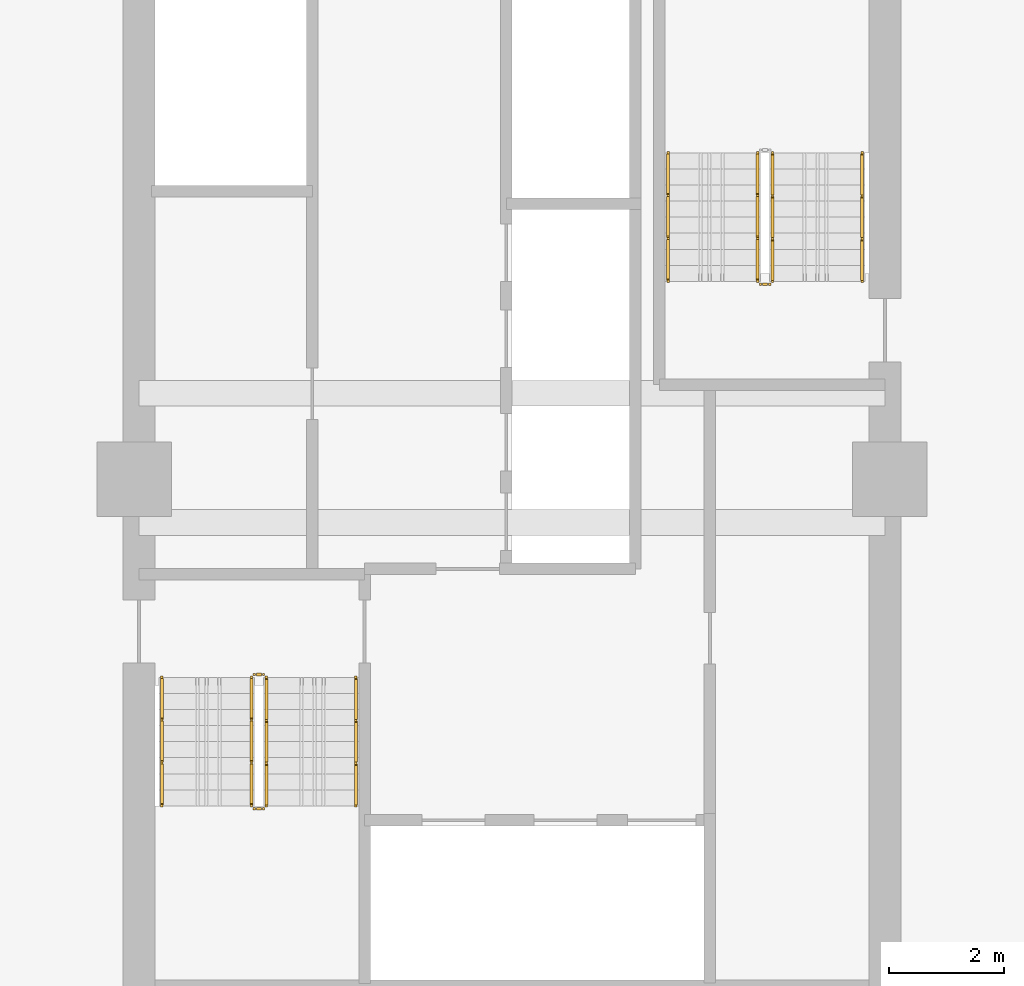
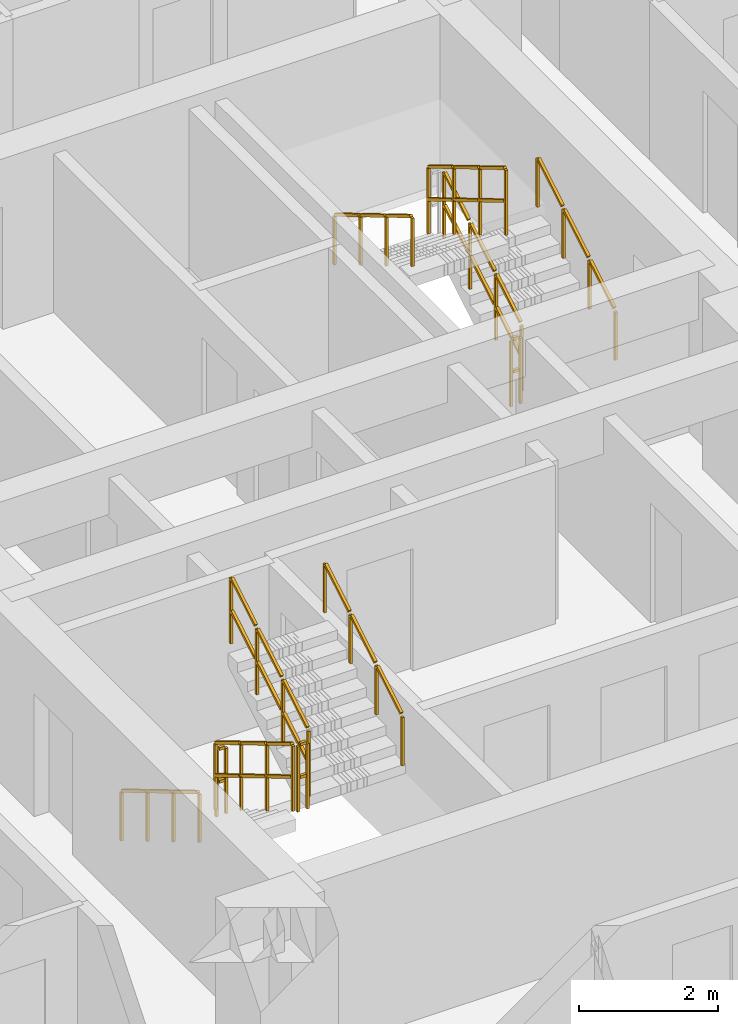
# One storey, part 12 of 14: 11 railings.
"""IFC4 building model written with IfcOpenShell, lengths in metres."""

from ifc_helpers import new_model, si_unit, direction, frame, origin, origin_2d, place, context, subcontext, project, spatial, rectangle, extrude, material, type_object, element, save


model = new_model("IFC4")

# Units and contexts
model_context = context("Model", 3, precision=1e-05, world=origin(), true_north=direction((0.0, 1.0)))
body_context = subcontext(model_context, "Body", "Model", "MODEL_VIEW")
ifc_project = project(units=[si_unit("LENGTHUNIT", "METRE"), si_unit("AREAUNIT", "SQUARE_METRE"), si_unit("VOLUMEUNIT", "CUBIC_METRE"), si_unit("PLANEANGLEUNIT", "RADIAN"), si_unit("MASSUNIT", "GRAM", prefix="KILO")], contexts=[model_context])

# Site, building, storey
site_placement = place(None, origin())
site = spatial("IfcSite", under=ifc_project, at=site_placement, CompositionType="ELEMENT")
building_placement = place(site_placement, origin())
building = spatial("IfcBuilding", under=site, at=building_placement, Name="Saelheon Loggia Tower", CompositionType="ELEMENT")
storey_placement = place(building_placement, frame((0.0, 0.0, 119.85009765625)))
storey = spatial("IfcBuildingStorey", under=building, at=storey_placement, Name="L38", CompositionType="ELEMENT", Elevation=119.85009765625)

# Railings
ifc_material_1 = material(Name="Galvanised Steel S275 Stairwell Guardrail", Category="steel")
railing_type_1 = type_object("IfcRailingType", Name="Guard_StairWell_RL_STG", PredefinedType="GUARDRAIL", material=ifc_material_1)
railing_1_placement = place(storey_placement, frame((33.4599609375, 23.550048828125, 0.16650390625)))
element("IfcRailing", 1, at=railing_1_placement, inside=storey, type_object=railing_type_1, Name="L38 ST1 stair guard 1", PredefinedType="GUARDRAIL", context=body_context, shape_type="SweptSolid", body=[
    extrude(rectangle(XDim=0.048095703125, YDim=0.048095703125, at=origin_2d()), frame((0.0, -0.028564453125, 1.19287109375), z_axis=(0.0, -0.859264461869, 0.511531606619), x_axis=(1.0, 0.0, 0.0)), (0.0, 0.0, 1.0), 0.802490234375),
    extrude(rectangle(XDim=0.048095703125, YDim=0.048095703125, at=origin_2d()), frame((0.0, -0.028564453125, 0.616943359375), z_axis=(0.0, -0.859264461869, 0.511531606619), x_axis=(1.0, 0.0, 0.0)), (0.0, 0.0, 1.0), 0.802490234375),
    extrude(rectangle(XDim=0.048095703125, YDim=0.048095703125, at=origin_2d()), frame((0.0, -0.775146484375, 1.637451171875), z_axis=(0.0, -0.859264461869, 0.511531606619), x_axis=(1.0, 0.0, 0.0)), (0.0, 0.0, 1.0), 0.802490234375),
    extrude(rectangle(XDim=0.048095703125, YDim=0.048095703125, at=origin_2d()), frame((0.0, -0.775146484375, 1.0615234375), z_axis=(0.0, -0.859264461869, 0.511531606619), x_axis=(1.0, 0.0, 0.0)), (0.0, 0.0, 1.0), 0.802490234375),
    extrude(rectangle(XDim=0.048095703125, YDim=0.048095703125, at=origin_2d()), frame((0.0, -1.52197265625, 2.081787109375), z_axis=(0.0, -0.859264461869, 0.511531606619), x_axis=(1.0, 0.0, 0.0)), (0.0, 0.0, 1.0), 0.802490234375),
    extrude(rectangle(XDim=0.048095703125, YDim=0.048095703125, at=origin_2d()), frame((0.0, -1.52197265625, 1.505859375), z_axis=(0.0, -0.859264461869, 0.511531606619), x_axis=(1.0, 0.0, 0.0)), (0.0, 0.0, 1.0), 0.802490234375),
    extrude(rectangle(XDim=0.0419921875, YDim=0.0419921875, at=origin_2d()), origin(), (0.0, 0.0, 1.0), 1.14794921875),
    extrude(rectangle(XDim=0.0419921875, YDim=0.0419921875, at=origin_2d()), frame((0.0, -0.74658203125, 0.444580078125)), (0.0, 0.0, 1.0), 1.14794921875),
    extrude(rectangle(XDim=0.0419921875, YDim=0.0419921875, at=origin_2d()), frame((0.0, -1.493408203125, 0.888916015625)), (0.0, 0.0, 1.0), 1.14794921875),
    extrude(rectangle(XDim=0.0419921875, YDim=0.0419921875, at=origin_2d()), frame((0.0, -2.239990234375, 1.33349609375)), (0.0, 0.0, 1.0), 1.14794921875),
])
railing_2_placement = place(storey_placement, frame((33.510009765625, 21.260009765625, 1.5)))
element("IfcRailing", 2, at=railing_2_placement, inside=storey, type_object=railing_type_1, Name="L38 ST1 stair guard 2", PredefinedType="GUARDRAIL", context=body_context, shape_type="SweptSolid", body=[
    extrude(rectangle(XDim=0.048095703125, YDim=0.048095703125, at=origin_2d()), frame((0.033203125, 0.0, 1.17578125), z_axis=(1.0, 0.0, 0.0), x_axis=(0.0, 1.0, 0.0)), (0.0, 0.0, 1.0), 0.093505859375),
    extrude(rectangle(XDim=0.048095703125, YDim=0.048095703125, at=origin_2d()), frame((0.033203125, 0.0, 0.60009765625), z_axis=(1.0, 0.0, 0.0), x_axis=(0.0, 1.0, 0.0)), (0.0, 0.0, 1.0), 0.093505859375),
    extrude(rectangle(XDim=0.0419921875, YDim=0.0419921875, at=origin_2d()), origin(), (0.0, 0.0, 1.0), 1.14794921875),
    extrude(rectangle(XDim=0.0419921875, YDim=0.0419921875, at=origin_2d()), frame((0.159912109375, 0.0, 0.0)), (0.0, 0.0, 1.0), 1.14794921875),
])
railing_3_placement = place(storey_placement, frame((33.719970703125, 21.31005859375, 1.66650390625)))
element("IfcRailing", 3, at=railing_3_placement, inside=storey, type_object=railing_type_1, Name="L38 ST1 stair guard 3", PredefinedType="GUARDRAIL", context=body_context, shape_type="SweptSolid", body=[
    extrude(rectangle(XDim=0.048095703125, YDim=0.048095703125, at=origin_2d()), frame((0.0, 0.028564453125, 1.19287109375), z_axis=(0.0, 0.859264461869, 0.511531606619), x_axis=(-1.0, 0.0, 0.0)), (0.0, 0.0, 1.0), 0.802490234375),
    extrude(rectangle(XDim=0.048095703125, YDim=0.048095703125, at=origin_2d()), frame((0.0, 0.028564453125, 0.616943359375), z_axis=(0.0, 0.859264461869, 0.511531606619), x_axis=(-1.0, 0.0, 0.0)), (0.0, 0.0, 1.0), 0.802490234375),
    extrude(rectangle(XDim=0.048095703125, YDim=0.048095703125, at=origin_2d()), frame((0.0, 0.775146484375, 1.637451171875), z_axis=(0.0, 0.859264461869, 0.511531606619), x_axis=(-1.0, 0.0, 0.0)), (0.0, 0.0, 1.0), 0.802490234375),
    extrude(rectangle(XDim=0.048095703125, YDim=0.048095703125, at=origin_2d()), frame((0.0, 0.775146484375, 1.0615234375), z_axis=(0.0, 0.859264461869, 0.511531606619), x_axis=(-1.0, 0.0, 0.0)), (0.0, 0.0, 1.0), 0.802490234375),
    extrude(rectangle(XDim=0.048095703125, YDim=0.048095703125, at=origin_2d()), frame((0.0, 1.52197265625, 2.081787109375), z_axis=(0.0, 0.859264461869, 0.511531606619), x_axis=(-1.0, 0.0, 0.0)), (0.0, 0.0, 1.0), 0.802490234375),
    extrude(rectangle(XDim=0.048095703125, YDim=0.048095703125, at=origin_2d()), frame((0.0, 1.52197265625, 1.505859375), z_axis=(0.0, 0.859264461869, 0.511531606619), x_axis=(-1.0, 0.0, 0.0)), (0.0, 0.0, 1.0), 0.802490234375),
    extrude(rectangle(XDim=0.0419921875, YDim=0.0419921875, at=origin_2d()), origin(), (0.0, 0.0, 1.0), 1.14794921875),
    extrude(rectangle(XDim=0.0419921875, YDim=0.0419921875, at=origin_2d()), frame((0.0, 0.74658203125, 0.444580078125)), (0.0, 0.0, 1.0), 1.14794921875),
    extrude(rectangle(XDim=0.0419921875, YDim=0.0419921875, at=origin_2d()), frame((0.0, 1.493408203125, 0.888916015625)), (0.0, 0.0, 1.0), 1.14794921875),
    extrude(rectangle(XDim=0.0419921875, YDim=0.0419921875, at=origin_2d()), frame((0.0, 2.239990234375, 1.33349609375)), (0.0, 0.0, 1.0), 1.14794921875),
])
railing_4_placement = place(storey_placement, frame((33.510009765625, 23.60009765625, 0.0)))
element("IfcRailing", 4, at=railing_4_placement, inside=storey, type_object=railing_type_1, Name="L38 ST1 stair guard 4", PredefinedType="GUARDRAIL", context=body_context, shape_type="SweptSolid", body=[
    extrude(rectangle(XDim=0.048095703125, YDim=0.048095703125, at=origin_2d()), frame((0.033203125, 0.0, 1.17578125), z_axis=(1.0, 0.0, 0.0), x_axis=(0.0, 1.0, 0.0)), (0.0, 0.0, 1.0), 0.093505859375),
    extrude(rectangle(XDim=0.048095703125, YDim=0.048095703125, at=origin_2d()), frame((0.033203125, 0.0, 0.60009765625), z_axis=(1.0, 0.0, 0.0), x_axis=(0.0, 1.0, 0.0)), (0.0, 0.0, 1.0), 0.093505859375),
    extrude(rectangle(XDim=0.0419921875, YDim=0.0419921875, at=origin_2d()), origin(), (0.0, 0.0, 1.0), 1.14794921875),
    extrude(rectangle(XDim=0.0419921875, YDim=0.0419921875, at=origin_2d()), frame((0.159912109375, 0.0, 0.0)), (0.0, 0.0, 1.0), 1.14794921875),
])
railing_5_placement = place(storey_placement, frame((42.5400390625, 30.449951171875, 0.16650390625)))
element("IfcRailing", 5, at=railing_5_placement, inside=storey, type_object=railing_type_1, Name="L38 ST2 stair guard 1", PredefinedType="GUARDRAIL", context=body_context, shape_type="SweptSolid", body=[
    extrude(rectangle(XDim=0.048095703125, YDim=0.048095703125, at=origin_2d()), frame((0.0, 0.028564453125, 1.19287109375), z_axis=(0.0, 0.859264461869, 0.511531606619), x_axis=(-1.0, 0.0, 0.0)), (0.0, 0.0, 1.0), 0.802490234375),
    extrude(rectangle(XDim=0.048095703125, YDim=0.048095703125, at=origin_2d()), frame((0.0, 0.028564453125, 0.616943359375), z_axis=(0.0, 0.859264461869, 0.511531606619), x_axis=(-1.0, 0.0, 0.0)), (0.0, 0.0, 1.0), 0.802490234375),
    extrude(rectangle(XDim=0.048095703125, YDim=0.048095703125, at=origin_2d()), frame((0.0, 0.775146484375, 1.637451171875), z_axis=(0.0, 0.859264461869, 0.511531606619), x_axis=(-1.0, 0.0, 0.0)), (0.0, 0.0, 1.0), 0.802490234375),
    extrude(rectangle(XDim=0.048095703125, YDim=0.048095703125, at=origin_2d()), frame((0.0, 0.775146484375, 1.0615234375), z_axis=(0.0, 0.859264461869, 0.511531606619), x_axis=(-1.0, 0.0, 0.0)), (0.0, 0.0, 1.0), 0.802490234375),
    extrude(rectangle(XDim=0.048095703125, YDim=0.048095703125, at=origin_2d()), frame((0.0, 1.52197265625, 2.081787109375), z_axis=(0.0, 0.859264461869, 0.511531606619), x_axis=(-1.0, 0.0, 0.0)), (0.0, 0.0, 1.0), 0.802490234375),
    extrude(rectangle(XDim=0.048095703125, YDim=0.048095703125, at=origin_2d()), frame((0.0, 1.52197265625, 1.505859375), z_axis=(0.0, 0.859264461869, 0.511531606619), x_axis=(-1.0, 0.0, 0.0)), (0.0, 0.0, 1.0), 0.802490234375),
    extrude(rectangle(XDim=0.0419921875, YDim=0.0419921875, at=origin_2d()), origin(), (0.0, 0.0, 1.0), 1.14794921875),
    extrude(rectangle(XDim=0.0419921875, YDim=0.0419921875, at=origin_2d()), frame((0.0, 0.74658203125, 0.444580078125)), (0.0, 0.0, 1.0), 1.14794921875),
    extrude(rectangle(XDim=0.0419921875, YDim=0.0419921875, at=origin_2d()), frame((0.0, 1.493408203125, 0.888916015625)), (0.0, 0.0, 1.0), 1.14794921875),
    extrude(rectangle(XDim=0.0419921875, YDim=0.0419921875, at=origin_2d()), frame((0.0, 2.239990234375, 1.33349609375)), (0.0, 0.0, 1.0), 1.14794921875),
])
railing_6_placement = place(storey_placement, frame((42.280029296875, 32.68994140625, 1.66650390625)))
element("IfcRailing", 6, at=railing_6_placement, inside=storey, type_object=railing_type_1, Name="L38 ST2 stair guard 3", PredefinedType="GUARDRAIL", context=body_context, shape_type="SweptSolid", body=[
    extrude(rectangle(XDim=0.048095703125, YDim=0.048095703125, at=origin_2d()), frame((0.0, -0.028564453125, 1.19287109375), z_axis=(0.0, -0.859264461869, 0.511531606619), x_axis=(1.0, 0.0, 0.0)), (0.0, 0.0, 1.0), 0.802490234375),
    extrude(rectangle(XDim=0.048095703125, YDim=0.048095703125, at=origin_2d()), frame((0.0, -0.028564453125, 0.616943359375), z_axis=(0.0, -0.859264461869, 0.511531606619), x_axis=(1.0, 0.0, 0.0)), (0.0, 0.0, 1.0), 0.802490234375),
    extrude(rectangle(XDim=0.048095703125, YDim=0.048095703125, at=origin_2d()), frame((0.0, -0.775146484375, 1.637451171875), z_axis=(0.0, -0.859264461869, 0.511531606619), x_axis=(1.0, 0.0, 0.0)), (0.0, 0.0, 1.0), 0.802490234375),
    extrude(rectangle(XDim=0.048095703125, YDim=0.048095703125, at=origin_2d()), frame((0.0, -0.775146484375, 1.0615234375), z_axis=(0.0, -0.859264461869, 0.511531606619), x_axis=(1.0, 0.0, 0.0)), (0.0, 0.0, 1.0), 0.802490234375),
    extrude(rectangle(XDim=0.048095703125, YDim=0.048095703125, at=origin_2d()), frame((0.0, -1.52197265625, 2.081787109375), z_axis=(0.0, -0.859264461869, 0.511531606619), x_axis=(1.0, 0.0, 0.0)), (0.0, 0.0, 1.0), 0.802490234375),
    extrude(rectangle(XDim=0.048095703125, YDim=0.048095703125, at=origin_2d()), frame((0.0, -1.52197265625, 1.505859375), z_axis=(0.0, -0.859264461869, 0.511531606619), x_axis=(1.0, 0.0, 0.0)), (0.0, 0.0, 1.0), 0.802490234375),
    extrude(rectangle(XDim=0.0419921875, YDim=0.0419921875, at=origin_2d()), origin(), (0.0, 0.0, 1.0), 1.14794921875),
    extrude(rectangle(XDim=0.0419921875, YDim=0.0419921875, at=origin_2d()), frame((0.0, -0.74658203125, 0.444580078125)), (0.0, 0.0, 1.0), 1.14794921875),
    extrude(rectangle(XDim=0.0419921875, YDim=0.0419921875, at=origin_2d()), frame((0.0, -1.493408203125, 0.888916015625)), (0.0, 0.0, 1.0), 1.14794921875),
    extrude(rectangle(XDim=0.0419921875, YDim=0.0419921875, at=origin_2d()), frame((0.0, -2.239990234375, 1.33349609375)), (0.0, 0.0, 1.0), 1.14794921875),
])
railing_7_placement = place(storey_placement, frame((42.489990234375, 30.39990234375, 0.0)))
element("IfcRailing", 7, at=railing_7_placement, inside=storey, type_object=railing_type_1, Name="L38 ST2 stair guard 4", PredefinedType="GUARDRAIL", context=body_context, shape_type="SweptSolid", body=[
    extrude(rectangle(XDim=0.048095703125, YDim=0.048095703125, at=origin_2d()), frame((-0.033203125, 0.0, 1.17578125), z_axis=(-1.0, 0.0, 0.0), x_axis=(0.0, -1.0, 0.0)), (0.0, 0.0, 1.0), 0.093505859375),
    extrude(rectangle(XDim=0.048095703125, YDim=0.048095703125, at=origin_2d()), frame((-0.033203125, 0.0, 0.60009765625), z_axis=(-1.0, 0.0, 0.0), x_axis=(0.0, -1.0, 0.0)), (0.0, 0.0, 1.0), 0.093505859375),
    extrude(rectangle(XDim=0.0419921875, YDim=0.0419921875, at=origin_2d()), origin(), (0.0, 0.0, 1.0), 1.14794921875),
    extrude(rectangle(XDim=0.0419921875, YDim=0.0419921875, at=origin_2d()), frame((-0.159912109375, 0.0, 0.0)), (0.0, 0.0, 1.0), 1.14794921875),
])
ifc_material_2 = material(Name="Stainless Steel 304 Tubular Handrail", Category="steel")
railing_type_2 = type_object("IfcRailingType", Name="Handrail_Stair_RL_HR1", PredefinedType="HANDRAIL", material=ifc_material_2)
railing_8_placement = place(storey_placement, frame((31.89990234375, 23.550048828125, 0.16650390625)))
element("IfcRailing", 8, at=railing_8_placement, inside=storey, type_object=railing_type_2, Name="L38 ST1 stair handrail 1", PredefinedType="HANDRAIL", context=body_context, shape_type="SweptSolid", body=[
    extrude(rectangle(XDim=0.048095703125, YDim=0.048095703125, at=origin_2d()), frame((0.0, -0.028564453125, 0.892822265625), z_axis=(0.0, -0.859264461869, 0.511531606619), x_axis=(1.0, 0.0, 0.0)), (0.0, 0.0, 1.0), 0.802490234375),
    extrude(rectangle(XDim=0.048095703125, YDim=0.048095703125, at=origin_2d()), frame((0.0, -0.775146484375, 1.33740234375), z_axis=(0.0, -0.859264461869, 0.511531606619), x_axis=(1.0, 0.0, 0.0)), (0.0, 0.0, 1.0), 0.802490234375),
    extrude(rectangle(XDim=0.048095703125, YDim=0.048095703125, at=origin_2d()), frame((0.0, -1.52197265625, 1.78173828125), z_axis=(0.0, -0.859264461869, 0.511531606619), x_axis=(1.0, 0.0, 0.0)), (0.0, 0.0, 1.0), 0.802490234375),
    extrude(rectangle(XDim=0.0419921875, YDim=0.0419921875, at=origin_2d()), origin(), (0.0, 0.0, 1.0), 0.847900390625),
    extrude(rectangle(XDim=0.0419921875, YDim=0.0419921875, at=origin_2d()), frame((0.0, -0.74658203125, 0.444580078125)), (0.0, 0.0, 1.0), 0.847900390625),
    extrude(rectangle(XDim=0.0419921875, YDim=0.0419921875, at=origin_2d()), frame((0.0, -1.493408203125, 0.888916015625)), (0.0, 0.0, 1.0), 0.847900390625),
    extrude(rectangle(XDim=0.0419921875, YDim=0.0419921875, at=origin_2d()), frame((0.0, -2.239990234375, 1.33349609375)), (0.0, 0.0, 1.0), 0.847900390625),
])
for number, where, name in (
    (9, (35.280029296875, 21.31005859375, 1.66650390625), "L38 ST1 stair handrail 2"),
    (10, (44.10009765625, 30.449951171875, 0.16650390625), "L38 ST2 stair handrail 1"),
):
    element("IfcRailing", number, at=place(storey_placement, frame(where)), inside=storey, type_object=railing_type_2, Name=name, PredefinedType="HANDRAIL", context=body_context, shape_type="SweptSolid", body=[
        extrude(rectangle(XDim=0.048095703125, YDim=0.048095703125, at=origin_2d()), frame((0.0, 0.028564453125, 0.892822265625), z_axis=(0.0, 0.859264461869, 0.511531606619), x_axis=(-1.0, 0.0, 0.0)), (0.0, 0.0, 1.0), 0.802490234375),
        extrude(rectangle(XDim=0.048095703125, YDim=0.048095703125, at=origin_2d()), frame((0.0, 0.775146484375, 1.33740234375), z_axis=(0.0, 0.859264461869, 0.511531606619), x_axis=(-1.0, 0.0, 0.0)), (0.0, 0.0, 1.0), 0.802490234375),
        extrude(rectangle(XDim=0.048095703125, YDim=0.048095703125, at=origin_2d()), frame((0.0, 1.52197265625, 1.78173828125), z_axis=(0.0, 0.859264461869, 0.511531606619), x_axis=(-1.0, 0.0, 0.0)), (0.0, 0.0, 1.0), 0.802490234375),
        extrude(rectangle(XDim=0.0419921875, YDim=0.0419921875, at=origin_2d()), origin(), (0.0, 0.0, 1.0), 0.847900390625),
        extrude(rectangle(XDim=0.0419921875, YDim=0.0419921875, at=origin_2d()), frame((0.0, 0.74658203125, 0.444580078125)), (0.0, 0.0, 1.0), 0.847900390625),
        extrude(rectangle(XDim=0.0419921875, YDim=0.0419921875, at=origin_2d()), frame((0.0, 1.493408203125, 0.888916015625)), (0.0, 0.0, 1.0), 0.847900390625),
        extrude(rectangle(XDim=0.0419921875, YDim=0.0419921875, at=origin_2d()), frame((0.0, 2.239990234375, 1.33349609375)), (0.0, 0.0, 1.0), 0.847900390625),
    ])
railing_9_placement = place(storey_placement, frame((40.719970703125, 32.68994140625, 1.66650390625)))
element("IfcRailing", 11, at=railing_9_placement, inside=storey, type_object=railing_type_2, Name="L38 ST2 stair handrail 2", PredefinedType="HANDRAIL", context=body_context, shape_type="SweptSolid", body=[
    extrude(rectangle(XDim=0.048095703125, YDim=0.048095703125, at=origin_2d()), frame((0.0, -0.028564453125, 0.892822265625), z_axis=(0.0, -0.859264461869, 0.511531606619), x_axis=(1.0, 0.0, 0.0)), (0.0, 0.0, 1.0), 0.802490234375),
    extrude(rectangle(XDim=0.048095703125, YDim=0.048095703125, at=origin_2d()), frame((0.0, -0.775146484375, 1.33740234375), z_axis=(0.0, -0.859264461869, 0.511531606619), x_axis=(1.0, 0.0, 0.0)), (0.0, 0.0, 1.0), 0.802490234375),
    extrude(rectangle(XDim=0.048095703125, YDim=0.048095703125, at=origin_2d()), frame((0.0, -1.52197265625, 1.78173828125), z_axis=(0.0, -0.859264461869, 0.511531606619), x_axis=(1.0, 0.0, 0.0)), (0.0, 0.0, 1.0), 0.802490234375),
    extrude(rectangle(XDim=0.0419921875, YDim=0.0419921875, at=origin_2d()), origin(), (0.0, 0.0, 1.0), 0.847900390625),
    extrude(rectangle(XDim=0.0419921875, YDim=0.0419921875, at=origin_2d()), frame((0.0, -0.74658203125, 0.444580078125)), (0.0, 0.0, 1.0), 0.847900390625),
    extrude(rectangle(XDim=0.0419921875, YDim=0.0419921875, at=origin_2d()), frame((0.0, -1.493408203125, 0.888916015625)), (0.0, 0.0, 1.0), 0.847900390625),
    extrude(rectangle(XDim=0.0419921875, YDim=0.0419921875, at=origin_2d()), frame((0.0, -2.239990234375, 1.33349609375)), (0.0, 0.0, 1.0), 0.847900390625),
])

save(model, "model.ifc")
